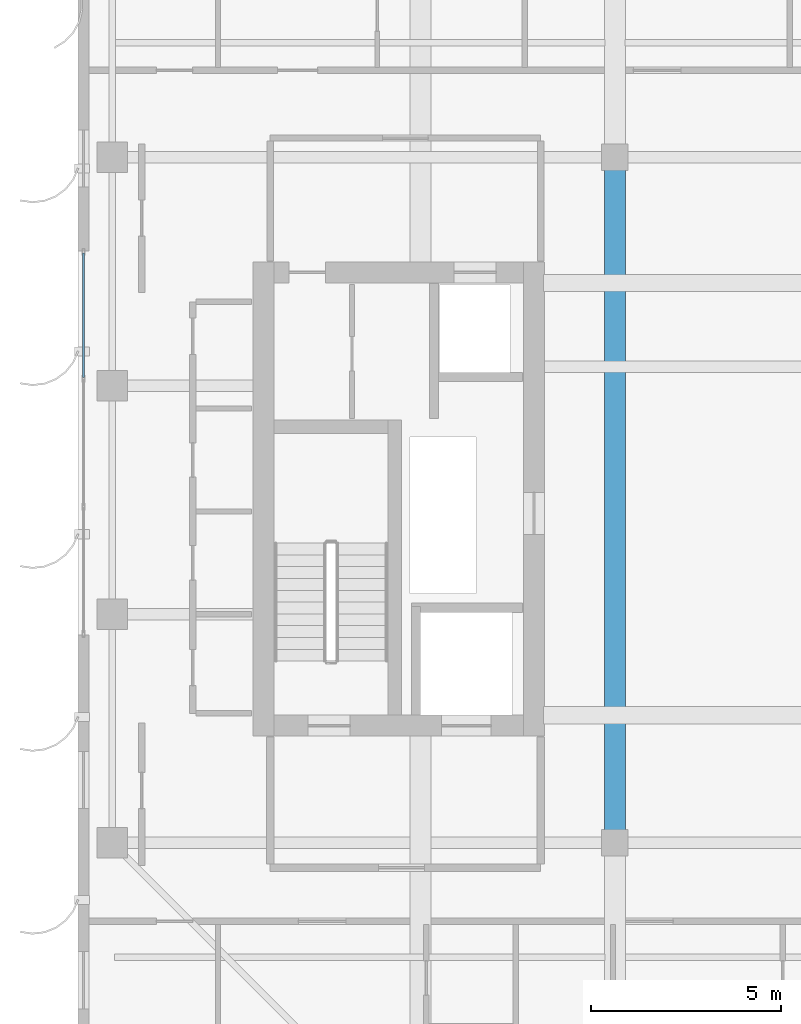
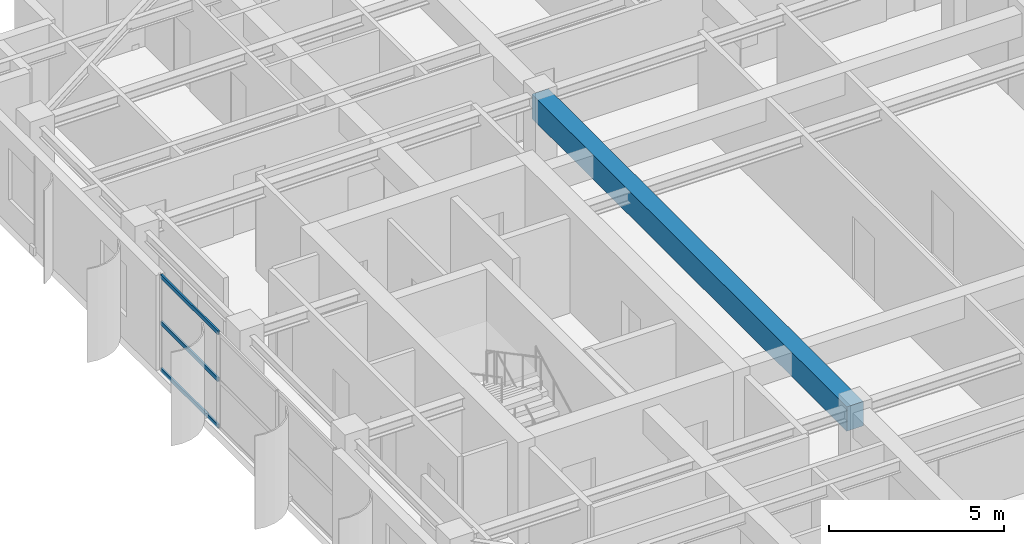
# One storey, part 9 of 23: 3 members, 1 beam, 1 element without a shape of its own.
"""IFC4 building model written with IfcOpenShell, lengths in metres."""

from ifc_helpers import new_model, si_unit, direction, frame, origin, origin_2d, place, context, subcontext, project, spatial, rectangle, hollow_rectangle, extrude, source, transform, mapped, material, layer, layer_set, material_profile, profile_set, type_object, element, aggregate, save


model = new_model("IFC4")

# Units and contexts
model_context = context("Model", 3, precision=1e-05, world=origin(), true_north=direction((0.0, 1.0)))
body_context = subcontext(model_context, "Body", "Model", "MODEL_VIEW")
ifc_project = project(units=[si_unit("LENGTHUNIT", "METRE"), si_unit("AREAUNIT", "SQUARE_METRE"), si_unit("VOLUMEUNIT", "CUBIC_METRE"), si_unit("PLANEANGLEUNIT", "RADIAN"), si_unit("MASSUNIT", "GRAM", prefix="KILO")], contexts=[model_context])

# Site, building, storey
site_placement = place(None, origin())
site = spatial("IfcSite", under=ifc_project, at=site_placement, CompositionType="ELEMENT")
building_placement = place(site_placement, origin())
building = spatial("IfcBuilding", under=site, at=building_placement, Name="Khoralis Quay Care Tower", CompositionType="ELEMENT")
storey_placement = place(building_placement, frame((0.0, 0.0, 270.89990234375)))
storey = spatial("IfcBuildingStorey", under=building, at=storey_placement, Name="L71", CompositionType="ELEMENT", Elevation=270.89990234375)

# Beam
ifc_material_1 = material(Name="Concrete C50/60", Category="concrete")
ifc_material_profile_1 = material_profile(ifc_material_1, rectangle(XDim=0.550048828125, YDim=0.85009765625, at=origin_2d()), Name="Concrete C50/60")
ifc_profile_set_1 = profile_set([ifc_material_profile_1], Name="Concrete C50/60")
beam_type = type_object("IfcBeamType", Name="BM-RC550X850", PredefinedType="BEAM", material=ifc_profile_set_1)
shared_shape_1 = source(origin(), body_context, "Body", "SweptSolid", [
    extrude(rectangle(XDim=0.550048828125, YDim=0.85009765625, at=origin_2d()), origin(), (0.0, 0.0, 1.0), 18.0),
])
beam_placement = place(storey_placement, frame((17.10009765625, 12.0, 2.89501953125), z_axis=(0.0, 1.0, 0.0), x_axis=(-1.0, 0.0, 0.0)))
element("IfcBeam", 1, at=beam_placement, inside=storey, type_object=beam_type, Name="BM-TGSW-L71", PredefinedType="BEAM", context=body_context, shape_type="MappedRepresentation", body=[
    mapped(shared_shape_1, transform((0.0, 0.0, 0.0), scale=1.0)),
])

# Curtain wall, members
ifc_material_2 = material(Name="Pale anodised aluminium", Category="aluminium")
ifc_layer = layer(ifc_material_2, 0.159912109375)
ifc_layer_set = layer_set([ifc_layer], Name="Pale anodised aluminium")
curtain_wall_type = type_object("IfcCurtainWallType", Name="CW-SYS-Z3", PredefinedType="NOTDEFINED", material=ifc_layer_set)
curtain_wall_placement = place(storey_placement, origin())
curtain_wall = element("IfcCurtainWall", 2, at=curtain_wall_placement, inside=storey, type_object=curtain_wall_type, Name="L71 Unitised Curtain Wall CW-L71-P1-E15", PredefinedType="NOTDEFINED")
ifc_material_profile_2 = material_profile(ifc_material_2, hollow_rectangle(XDim=0.06005859375, YDim=0.139892578125, WallThickness=0.00390625, at=origin_2d()), Name="Pale anodised aluminium")
ifc_profile_set_2 = profile_set([ifc_material_profile_2], Name="Pale anodised aluminium")
member_type = type_object("IfcMemberType", Name="CW-TRN-140", PredefinedType="USERDEFINED", material=ifc_profile_set_2)
shared_shape_2 = source(origin(), body_context, "Body", "SweptSolid", [
    extrude(hollow_rectangle(XDim=0.06005859375, YDim=0.139892578125, WallThickness=0.00390625, at=origin_2d()), origin(), (0.0, 0.0, 1.0), 3.27001953125),
])
member_1_placement = place(storey_placement, frame((3.14990234375, 27.47998046875, 0.030029296875), z_axis=(0.0, -1.0, 0.0), x_axis=(1.0, 0.0, 0.0)))
member_1 = element("IfcMember", 3, at=member_1_placement, type_object=member_type, Name="CW3 transom 1.1", ObjectType="TRANSOM", PredefinedType="USERDEFINED", context=body_context, shape_type="MappedRepresentation", body=[
    mapped(shared_shape_2, transform((0.0, 0.0, 0.0), scale=1.0)),
])
member_2_placement = place(storey_placement, frame((3.14990234375, 27.47998046875, 1.66015625), z_axis=(0.0, -1.0, 0.0), x_axis=(1.0, 0.0, 0.0)))
member_2 = element("IfcMember", 4, at=member_2_placement, type_object=member_type, Name="CW3 transom 1.2", ObjectType="TRANSOM", PredefinedType="USERDEFINED", context=body_context, shape_type="MappedRepresentation", body=[
    mapped(shared_shape_2, transform((0.0, 0.0, 0.0), scale=1.0)),
])
member_3_placement = place(storey_placement, frame((3.14990234375, 27.47998046875, 3.2900390625), z_axis=(0.0, -1.0, 0.0), x_axis=(1.0, 0.0, 0.0)))
member_3 = element("IfcMember", 5, at=member_3_placement, type_object=member_type, Name="CW3 transom 1.3", ObjectType="TRANSOM", PredefinedType="USERDEFINED", context=body_context, shape_type="MappedRepresentation", body=[
    mapped(shared_shape_2, transform((0.0, 0.0, 0.0), scale=1.0)),
])
aggregate(curtain_wall, [member_1, member_2, member_3])

save(model, "model.ifc")
